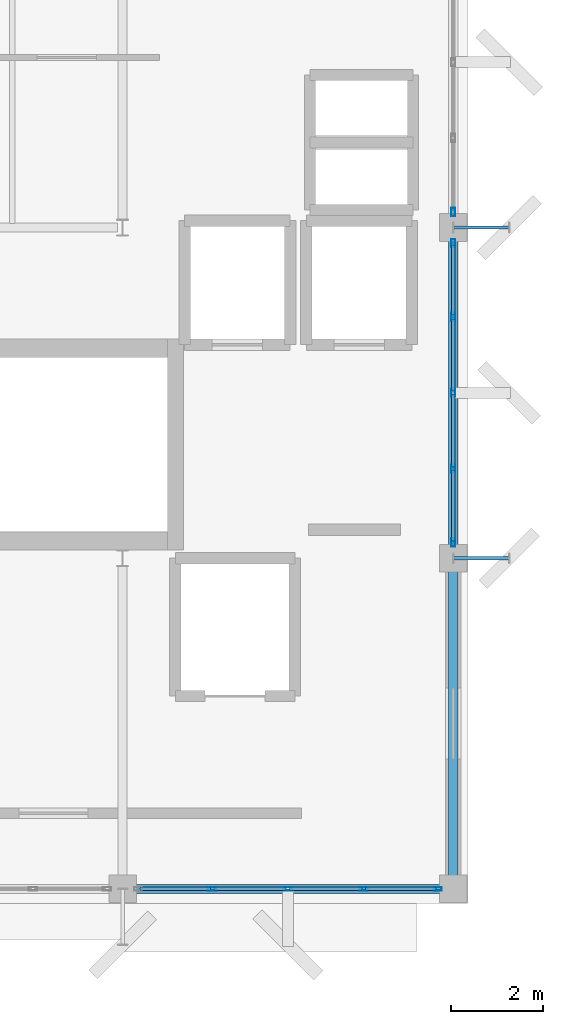
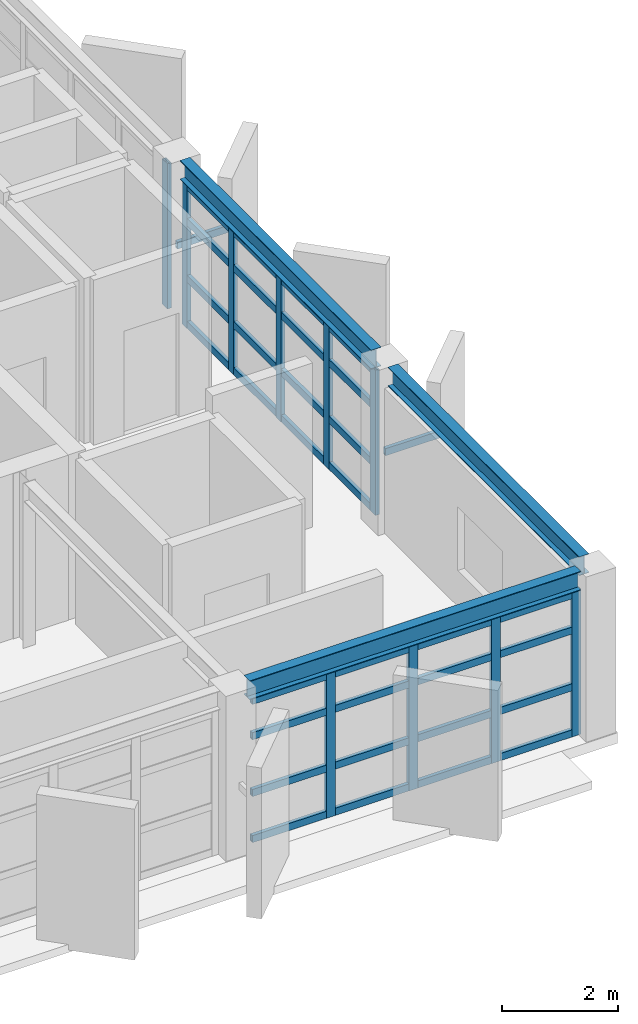
# One storey, part 4 of 13: 44 members, 3 beams, 3 elements without a shape of their own.
"""IFC4 building model written with IfcOpenShell, lengths in metres."""

from ifc_helpers import new_model, si_unit, direction, frame, origin, origin_2d, place, context, subcontext, project, spatial, hollow_rectangle, i_section, extrude, material, layer, layer_set, material_profile, profile_set, type_object, element, aggregate, save


model = new_model("IFC4")

# Units and contexts
model_context = context("Model", 3, precision=1e-05, world=origin(), true_north=direction((0.0, 1.0)))
body_context = subcontext(model_context, "Body", "Model", "MODEL_VIEW")
ifc_project = project(units=[si_unit("LENGTHUNIT", "METRE"), si_unit("AREAUNIT", "SQUARE_METRE"), si_unit("VOLUMEUNIT", "CUBIC_METRE"), si_unit("PLANEANGLEUNIT", "RADIAN"), si_unit("MASSUNIT", "GRAM", prefix="KILO")], contexts=[model_context])

# Site, building, storey
site_placement = place(None, origin())
site = spatial("IfcSite", under=ifc_project, at=site_placement, CompositionType="ELEMENT")
building_placement = place(site_placement, origin())
building = spatial("IfcBuilding", under=site, at=building_placement, Name="Kandorven Conservatory and Botanical Research Centre", CompositionType="ELEMENT")
storey_placement = place(building_placement, frame((0.0, 0.0, 63.14990234375)))
storey = spatial("IfcBuildingStorey", under=building, at=storey_placement, Name="L16", CompositionType="ELEMENT", Elevation=63.14990234375)

# Beams
ifc_material_1 = material(Name="Steel S355 (IS 2062 E350)", Category="steel")
ifc_material_profile_1 = material_profile(ifc_material_1, i_section(OverallWidth=0.199951171875, OverallDepth=0.39990234375, WebThickness=0.008544921875, FlangeThickness=0.012939453125, at=origin_2d()))
ifc_profile_set_1 = profile_set([ifc_material_profile_1], Name="Steel S355 (IS 2062 E350)")
beam_type = type_object("IfcBeamType", Name="Beam_FG-03", PredefinedType="USERDEFINED", material=ifc_profile_set_1)
beam_1_placement = place(storey_placement, frame((20.68994140625, 6.0, 3.2900390625), z_axis=(1.0, 0.0, 0.0), x_axis=(0.0, 1.0, 0.0)))
element("IfcBeam", 1, at=beam_1_placement, inside=storey, type_object=beam_type, Name="Primary girder FG-03 TWR L16", ObjectType="GIRDER", PredefinedType="USERDEFINED", context=body_context, shape_type="SweptSolid", body=[
    extrude(i_section(OverallWidth=0.199951171875, OverallDepth=0.39990234375, WebThickness=0.008544921875, FlangeThickness=0.012939453125, at=origin_2d()), origin(), (0.0, 0.0, 1.0), 6.6201171875),
])
beam_2_placement = place(storey_placement, frame((27.60009765625, 6.2900390625, 3.2900390625), z_axis=(0.0, 1.0, 0.0), x_axis=(-1.0, 0.0, 0.0)))
element("IfcBeam", 2, at=beam_2_placement, inside=storey, type_object=beam_type, Name="Primary girder FG-03 TWR L16", ObjectType="GIRDER", PredefinedType="USERDEFINED", context=body_context, shape_type="SweptSolid", body=[
    extrude(i_section(OverallWidth=0.199951171875, OverallDepth=0.39990234375, WebThickness=0.008544921875, FlangeThickness=0.012939453125, at=origin_2d()), origin(), (0.0, 0.0, 1.0), 6.619873046875),
])
beam_3_placement = place(storey_placement, frame((27.60009765625, 13.489990234375, 3.2900390625), z_axis=(0.0, 1.0, 0.0), x_axis=(-1.0, 0.0, 0.0)))
element("IfcBeam", 3, at=beam_3_placement, inside=storey, type_object=beam_type, Name="Primary girder FG-03 TWR L16", ObjectType="GIRDER", PredefinedType="USERDEFINED", context=body_context, shape_type="SweptSolid", body=[
    extrude(i_section(OverallWidth=0.199951171875, OverallDepth=0.39990234375, WebThickness=0.008544921875, FlangeThickness=0.012939453125, at=origin_2d()), origin(), (0.0, 0.0, 1.0), 6.6201171875),
])

# Curtain wall, members
ifc_material_2 = material(Name="Bronze anodised thermally broken aluminium", Category="aluminium")
ifc_layer = layer(ifc_material_2, 0.179931640625)
ifc_layer_set = layer_set([ifc_layer], Name="Bronze anodised thermally broken aluminium")
curtain_wall_type = type_object("IfcCurtainWallType", Name="CW_Unitised", PredefinedType="USERDEFINED", material=ifc_layer_set)
curtain_wall_1_placement = place(storey_placement, origin())
curtain_wall_1 = element("IfcCurtainWall", 4, at=curtain_wall_1_placement, inside=storey, type_object=curtain_wall_type, Name="Tower laboratory curtain wall CW-TWR-S-L16-3", ObjectType="UNITISED GLAZING", PredefinedType="USERDEFINED")
ifc_material_3 = material(Name="Bronze anodised thermally broken aluminium", Category="aluminium")
ifc_material_profile_2 = material_profile(ifc_material_3, hollow_rectangle(XDim=0.080078125, YDim=0.179931640625, WallThickness=0.006103515625, at=origin_2d()))
ifc_profile_set_2 = profile_set([ifc_material_profile_2], Name="Bronze anodised thermally broken aluminium")
member_type_1 = type_object("IfcMemberType", Name="CW_Mullion", PredefinedType="MULLION", material=ifc_profile_set_2)
member_1_placement = place(storey_placement, frame((22.35009765625, 6.0, 0.0), z_axis=(0.0, 0.0, 1.0), x_axis=(0.0, 1.0, 0.0)))
member_1 = element("IfcMember", 5, at=member_1_placement, type_object=member_type_1, Name="CW-01 mullion 2", PredefinedType="MULLION", context=body_context, shape_type="SweptSolid", body=[
    extrude(hollow_rectangle(XDim=0.080078125, YDim=0.179931640625, WallThickness=0.006103515625, at=origin_2d()), origin(), (0.0, 0.0, 1.0), 3.070068359375),
])
member_2_placement = place(storey_placement, frame((24.0, 6.0, 0.0), z_axis=(0.0, 0.0, 1.0), x_axis=(0.0, 1.0, 0.0)))
member_2 = element("IfcMember", 6, at=member_2_placement, type_object=member_type_1, Name="CW-01 mullion 3", PredefinedType="MULLION", context=body_context, shape_type="SweptSolid", body=[
    extrude(hollow_rectangle(XDim=0.080078125, YDim=0.179931640625, WallThickness=0.006103515625, at=origin_2d()), origin(), (0.0, 0.0, 1.0), 3.070068359375),
])
member_3_placement = place(storey_placement, frame((25.64990234375, 6.0, 0.0), z_axis=(0.0, 0.0, 1.0), x_axis=(0.0, 1.0, 0.0)))
member_3 = element("IfcMember", 7, at=member_3_placement, type_object=member_type_1, Name="CW-01 mullion 4", PredefinedType="MULLION", context=body_context, shape_type="SweptSolid", body=[
    extrude(hollow_rectangle(XDim=0.080078125, YDim=0.179931640625, WallThickness=0.006103515625, at=origin_2d()), origin(), (0.0, 0.0, 1.0), 3.070068359375),
])
member_4_placement = place(storey_placement, frame((27.260009765625, 6.0, 0.0), z_axis=(0.0, 0.0, 1.0), x_axis=(0.0, 1.0, 0.0)))
member_4 = element("IfcMember", 8, at=member_4_placement, type_object=member_type_1, Name="CW-01 mullion 5", PredefinedType="MULLION", context=body_context, shape_type="SweptSolid", body=[
    extrude(hollow_rectangle(XDim=0.080078125, YDim=0.179931640625, WallThickness=0.006103515625, at=origin_2d()), origin(), (0.0, 0.0, 1.0), 3.070068359375),
])

curtain_wall_2_placement = place(storey_placement, origin())
curtain_wall_2 = element("IfcCurtainWall", 9, at=curtain_wall_2_placement, inside=storey, type_object=curtain_wall_type, Name="Tower laboratory curtain wall CW-TWR-E-L16-2", ObjectType="UNITISED GLAZING", PredefinedType="USERDEFINED")
member_5_placement = place(storey_placement, frame((27.60009765625, 13.5400390625, 0.0), z_axis=(0.0, 0.0, 1.0), x_axis=(-1.0, 0.0, 0.0)))
member_5 = element("IfcMember", 10, at=member_5_placement, type_object=member_type_1, Name="CW-01 mullion 1", PredefinedType="MULLION", context=body_context, shape_type="SweptSolid", body=[
    extrude(hollow_rectangle(XDim=0.080078125, YDim=0.179931640625, WallThickness=0.006103515625, at=origin_2d()), origin(), (0.0, 0.0, 1.0), 3.070068359375),
])
member_6_placement = place(storey_placement, frame((27.60009765625, 15.14990234375, 0.0), z_axis=(0.0, 0.0, 1.0), x_axis=(-1.0, 0.0, 0.0)))
member_6 = element("IfcMember", 11, at=member_6_placement, type_object=member_type_1, Name="CW-01 mullion 2", PredefinedType="MULLION", context=body_context, shape_type="SweptSolid", body=[
    extrude(hollow_rectangle(XDim=0.080078125, YDim=0.179931640625, WallThickness=0.006103515625, at=origin_2d()), origin(), (0.0, 0.0, 1.0), 3.070068359375),
])
member_7_placement = place(storey_placement, frame((27.60009765625, 16.800048828125, 0.0), z_axis=(0.0, 0.0, 1.0), x_axis=(-1.0, 0.0, 0.0)))
member_7 = element("IfcMember", 12, at=member_7_placement, type_object=member_type_1, Name="CW-01 mullion 3", PredefinedType="MULLION", context=body_context, shape_type="SweptSolid", body=[
    extrude(hollow_rectangle(XDim=0.080078125, YDim=0.179931640625, WallThickness=0.006103515625, at=origin_2d()), origin(), (0.0, 0.0, 1.0), 3.070068359375),
])
member_8_placement = place(storey_placement, frame((27.60009765625, 18.449951171875, 0.0), z_axis=(0.0, 0.0, 1.0), x_axis=(-1.0, 0.0, 0.0)))
member_8 = element("IfcMember", 13, at=member_8_placement, type_object=member_type_1, Name="CW-01 mullion 4", PredefinedType="MULLION", context=body_context, shape_type="SweptSolid", body=[
    extrude(hollow_rectangle(XDim=0.080078125, YDim=0.179931640625, WallThickness=0.006103515625, at=origin_2d()), origin(), (0.0, 0.0, 1.0), 3.070068359375),
])
member_9_placement = place(storey_placement, frame((27.60009765625, 20.06005859375, 0.0), z_axis=(0.0, 0.0, 1.0), x_axis=(-1.0, 0.0, 0.0)))
member_9 = element("IfcMember", 14, at=member_9_placement, type_object=member_type_1, Name="CW-01 mullion 5", PredefinedType="MULLION", context=body_context, shape_type="SweptSolid", body=[
    extrude(hollow_rectangle(XDim=0.080078125, YDim=0.179931640625, WallThickness=0.006103515625, at=origin_2d()), origin(), (0.0, 0.0, 1.0), 3.070068359375),
])

# Curtain wall, member
curtain_wall_3_placement = place(storey_placement, origin())
curtain_wall_3 = element("IfcCurtainWall", 15, at=curtain_wall_3_placement, inside=storey, type_object=curtain_wall_type, Name="Tower laboratory curtain wall CW-TWR-E-L16-3", ObjectType="UNITISED GLAZING", PredefinedType="USERDEFINED")
member_10_placement = place(storey_placement, frame((27.60009765625, 20.739990234375, 0.0), z_axis=(0.0, 0.0, 1.0), x_axis=(-1.0, 0.0, 0.0)))
member_10 = element("IfcMember", 16, at=member_10_placement, type_object=member_type_1, Name="CW-01 mullion 1", PredefinedType="MULLION", context=body_context, shape_type="SweptSolid", body=[
    extrude(hollow_rectangle(XDim=0.080078125, YDim=0.179931640625, WallThickness=0.006103515625, at=origin_2d()), origin(), (0.0, 0.0, 1.0), 3.070068359375),
])
aggregate(curtain_wall_3, [member_10])

# Member
ifc_material_4 = material(Name="Bronze anodised thermally broken aluminium", Category="aluminium")
ifc_material_profile_3 = material_profile(ifc_material_4, hollow_rectangle(XDim=0.074951171875, YDim=0.14990234375, WallThickness=0.006103515625, at=origin_2d()))
ifc_profile_set_3 = profile_set([ifc_material_profile_3], Name="Bronze anodised thermally broken aluminium")
member_type_2 = type_object("IfcMemberType", Name="CW_Transom", PredefinedType="USERDEFINED", material=ifc_profile_set_3)
member_11_placement = place(storey_placement, frame((20.780029296875, 6.0, 0.0751953125), z_axis=(1.0, 0.0, 0.0), x_axis=(0.0, 1.0, 0.0)))
member_11 = element("IfcMember", 17, at=member_11_placement, type_object=member_type_2, Name="CW-01 transom 1.1", ObjectType="TRANSOM", PredefinedType="USERDEFINED", context=body_context, shape_type="SweptSolid", body=[
    extrude(hollow_rectangle(XDim=0.074951171875, YDim=0.14990234375, WallThickness=0.006103515625, at=origin_2d()), origin(), (0.0, 0.0, 1.0), 1.530029296875),
])

member_12_placement = place(storey_placement, frame((20.780029296875, 6.0, 1.050048828125), z_axis=(1.0, 0.0, 0.0), x_axis=(0.0, 1.0, 0.0)))
member_12 = element("IfcMember", 18, at=member_12_placement, type_object=member_type_2, Name="CW-01 transom 1.2", ObjectType="TRANSOM", PredefinedType="USERDEFINED", context=body_context, shape_type="SweptSolid", body=[
    extrude(hollow_rectangle(XDim=0.074951171875, YDim=0.14990234375, WallThickness=0.006103515625, at=origin_2d()), origin(), (0.0, 0.0, 1.0), 1.530029296875),
])

member_13_placement = place(storey_placement, frame((20.780029296875, 6.0, 2.25), z_axis=(1.0, 0.0, 0.0), x_axis=(0.0, 1.0, 0.0)))
member_13 = element("IfcMember", 19, at=member_13_placement, type_object=member_type_2, Name="CW-01 transom 1.3", ObjectType="TRANSOM", PredefinedType="USERDEFINED", context=body_context, shape_type="SweptSolid", body=[
    extrude(hollow_rectangle(XDim=0.074951171875, YDim=0.14990234375, WallThickness=0.006103515625, at=origin_2d()), origin(), (0.0, 0.0, 1.0), 1.530029296875),
])

member_14_placement = place(storey_placement, frame((20.780029296875, 6.0, 2.9951171875), z_axis=(1.0, 0.0, 0.0), x_axis=(0.0, 1.0, 0.0)))
member_14 = element("IfcMember", 20, at=member_14_placement, type_object=member_type_2, Name="CW-01 transom 1.4", ObjectType="TRANSOM", PredefinedType="USERDEFINED", context=body_context, shape_type="SweptSolid", body=[
    extrude(hollow_rectangle(XDim=0.074951171875, YDim=0.14990234375, WallThickness=0.006103515625, at=origin_2d()), origin(), (0.0, 0.0, 1.0), 1.530029296875),
])

member_15_placement = place(storey_placement, frame((22.389892578125, 6.0, 0.0751953125), z_axis=(1.0, 0.0, 0.0), x_axis=(0.0, 1.0, 0.0)))
member_15 = element("IfcMember", 21, at=member_15_placement, type_object=member_type_2, Name="CW-01 transom 2.1", ObjectType="TRANSOM", PredefinedType="USERDEFINED", context=body_context, shape_type="SweptSolid", body=[
    extrude(hollow_rectangle(XDim=0.074951171875, YDim=0.14990234375, WallThickness=0.006103515625, at=origin_2d()), origin(), (0.0, 0.0, 1.0), 1.570068359375),
])

member_16_placement = place(storey_placement, frame((22.389892578125, 6.0, 1.050048828125), z_axis=(1.0, 0.0, 0.0), x_axis=(0.0, 1.0, 0.0)))
member_16 = element("IfcMember", 22, at=member_16_placement, type_object=member_type_2, Name="CW-01 transom 2.2", ObjectType="TRANSOM", PredefinedType="USERDEFINED", context=body_context, shape_type="SweptSolid", body=[
    extrude(hollow_rectangle(XDim=0.074951171875, YDim=0.14990234375, WallThickness=0.006103515625, at=origin_2d()), origin(), (0.0, 0.0, 1.0), 1.570068359375),
])

member_17_placement = place(storey_placement, frame((22.389892578125, 6.0, 2.25), z_axis=(1.0, 0.0, 0.0), x_axis=(0.0, 1.0, 0.0)))
member_17 = element("IfcMember", 23, at=member_17_placement, type_object=member_type_2, Name="CW-01 transom 2.3", ObjectType="TRANSOM", PredefinedType="USERDEFINED", context=body_context, shape_type="SweptSolid", body=[
    extrude(hollow_rectangle(XDim=0.074951171875, YDim=0.14990234375, WallThickness=0.006103515625, at=origin_2d()), origin(), (0.0, 0.0, 1.0), 1.570068359375),
])

member_18_placement = place(storey_placement, frame((22.389892578125, 6.0, 2.9951171875), z_axis=(1.0, 0.0, 0.0), x_axis=(0.0, 1.0, 0.0)))
member_18 = element("IfcMember", 24, at=member_18_placement, type_object=member_type_2, Name="CW-01 transom 2.4", ObjectType="TRANSOM", PredefinedType="USERDEFINED", context=body_context, shape_type="SweptSolid", body=[
    extrude(hollow_rectangle(XDim=0.074951171875, YDim=0.14990234375, WallThickness=0.006103515625, at=origin_2d()), origin(), (0.0, 0.0, 1.0), 1.570068359375),
])

member_19_placement = place(storey_placement, frame((24.0400390625, 6.0, 0.0751953125), z_axis=(1.0, 0.0, 0.0), x_axis=(0.0, 1.0, 0.0)))
member_19 = element("IfcMember", 25, at=member_19_placement, type_object=member_type_2, Name="CW-01 transom 3.1", ObjectType="TRANSOM", PredefinedType="USERDEFINED", context=body_context, shape_type="SweptSolid", body=[
    extrude(hollow_rectangle(XDim=0.074951171875, YDim=0.14990234375, WallThickness=0.006103515625, at=origin_2d()), origin(), (0.0, 0.0, 1.0), 1.570068359375),
])

member_20_placement = place(storey_placement, frame((24.0400390625, 6.0, 1.050048828125), z_axis=(1.0, 0.0, 0.0), x_axis=(0.0, 1.0, 0.0)))
member_20 = element("IfcMember", 26, at=member_20_placement, type_object=member_type_2, Name="CW-01 transom 3.2", ObjectType="TRANSOM", PredefinedType="USERDEFINED", context=body_context, shape_type="SweptSolid", body=[
    extrude(hollow_rectangle(XDim=0.074951171875, YDim=0.14990234375, WallThickness=0.006103515625, at=origin_2d()), origin(), (0.0, 0.0, 1.0), 1.570068359375),
])

member_21_placement = place(storey_placement, frame((24.0400390625, 6.0, 2.25), z_axis=(1.0, 0.0, 0.0), x_axis=(0.0, 1.0, 0.0)))
member_21 = element("IfcMember", 27, at=member_21_placement, type_object=member_type_2, Name="CW-01 transom 3.3", ObjectType="TRANSOM", PredefinedType="USERDEFINED", context=body_context, shape_type="SweptSolid", body=[
    extrude(hollow_rectangle(XDim=0.074951171875, YDim=0.14990234375, WallThickness=0.006103515625, at=origin_2d()), origin(), (0.0, 0.0, 1.0), 1.570068359375),
])

member_22_placement = place(storey_placement, frame((24.0400390625, 6.0, 2.9951171875), z_axis=(1.0, 0.0, 0.0), x_axis=(0.0, 1.0, 0.0)))
member_22 = element("IfcMember", 28, at=member_22_placement, type_object=member_type_2, Name="CW-01 transom 3.4", ObjectType="TRANSOM", PredefinedType="USERDEFINED", context=body_context, shape_type="SweptSolid", body=[
    extrude(hollow_rectangle(XDim=0.074951171875, YDim=0.14990234375, WallThickness=0.006103515625, at=origin_2d()), origin(), (0.0, 0.0, 1.0), 1.570068359375),
])

member_23_placement = place(storey_placement, frame((25.68994140625, 6.0, 0.0751953125), z_axis=(1.0, 0.0, 0.0), x_axis=(0.0, 1.0, 0.0)))
member_23 = element("IfcMember", 29, at=member_23_placement, type_object=member_type_2, Name="CW-01 transom 4.1", ObjectType="TRANSOM", PredefinedType="USERDEFINED", context=body_context, shape_type="SweptSolid", body=[
    extrude(hollow_rectangle(XDim=0.074951171875, YDim=0.14990234375, WallThickness=0.006103515625, at=origin_2d()), origin(), (0.0, 0.0, 1.0), 1.530029296875),
])

member_24_placement = place(storey_placement, frame((25.68994140625, 6.0, 1.050048828125), z_axis=(1.0, 0.0, 0.0), x_axis=(0.0, 1.0, 0.0)))
member_24 = element("IfcMember", 30, at=member_24_placement, type_object=member_type_2, Name="CW-01 transom 4.2", ObjectType="TRANSOM", PredefinedType="USERDEFINED", context=body_context, shape_type="SweptSolid", body=[
    extrude(hollow_rectangle(XDim=0.074951171875, YDim=0.14990234375, WallThickness=0.006103515625, at=origin_2d()), origin(), (0.0, 0.0, 1.0), 1.530029296875),
])

member_25_placement = place(storey_placement, frame((25.68994140625, 6.0, 2.25), z_axis=(1.0, 0.0, 0.0), x_axis=(0.0, 1.0, 0.0)))
member_25 = element("IfcMember", 31, at=member_25_placement, type_object=member_type_2, Name="CW-01 transom 4.3", ObjectType="TRANSOM", PredefinedType="USERDEFINED", context=body_context, shape_type="SweptSolid", body=[
    extrude(hollow_rectangle(XDim=0.074951171875, YDim=0.14990234375, WallThickness=0.006103515625, at=origin_2d()), origin(), (0.0, 0.0, 1.0), 1.530029296875),
])

member_26_placement = place(storey_placement, frame((25.68994140625, 6.0, 2.9951171875), z_axis=(1.0, 0.0, 0.0), x_axis=(0.0, 1.0, 0.0)))
member_26 = element("IfcMember", 32, at=member_26_placement, type_object=member_type_2, Name="CW-01 transom 4.4", ObjectType="TRANSOM", PredefinedType="USERDEFINED", context=body_context, shape_type="SweptSolid", body=[
    extrude(hollow_rectangle(XDim=0.074951171875, YDim=0.14990234375, WallThickness=0.006103515625, at=origin_2d()), origin(), (0.0, 0.0, 1.0), 1.530029296875),
])

aggregate(curtain_wall_1, [member_1, member_2, member_3, member_4, member_11, member_12, member_13, member_14, member_15, member_16, member_17, member_18, member_19, member_20, member_21, member_22, member_23, member_24, member_25, member_26])

member_27_placement = place(storey_placement, frame((27.60009765625, 13.580078125, 0.0751953125), z_axis=(0.0, 1.0, 0.0), x_axis=(-1.0, 0.0, 0.0)))
member_27 = element("IfcMember", 33, at=member_27_placement, type_object=member_type_2, Name="CW-01 transom 1.1", ObjectType="TRANSOM", PredefinedType="USERDEFINED", context=body_context, shape_type="SweptSolid", body=[
    extrude(hollow_rectangle(XDim=0.074951171875, YDim=0.14990234375, WallThickness=0.006103515625, at=origin_2d()), origin(), (0.0, 0.0, 1.0), 1.530029296875),
])

member_28_placement = place(storey_placement, frame((27.60009765625, 13.580078125, 1.050048828125), z_axis=(0.0, 1.0, 0.0), x_axis=(-1.0, 0.0, 0.0)))
member_28 = element("IfcMember", 34, at=member_28_placement, type_object=member_type_2, Name="CW-01 transom 1.2", ObjectType="TRANSOM", PredefinedType="USERDEFINED", context=body_context, shape_type="SweptSolid", body=[
    extrude(hollow_rectangle(XDim=0.074951171875, YDim=0.14990234375, WallThickness=0.006103515625, at=origin_2d()), origin(), (0.0, 0.0, 1.0), 1.530029296875),
])

member_29_placement = place(storey_placement, frame((27.60009765625, 13.580078125, 2.25), z_axis=(0.0, 1.0, 0.0), x_axis=(-1.0, 0.0, 0.0)))
member_29 = element("IfcMember", 35, at=member_29_placement, type_object=member_type_2, Name="CW-01 transom 1.3", ObjectType="TRANSOM", PredefinedType="USERDEFINED", context=body_context, shape_type="SweptSolid", body=[
    extrude(hollow_rectangle(XDim=0.074951171875, YDim=0.14990234375, WallThickness=0.006103515625, at=origin_2d()), origin(), (0.0, 0.0, 1.0), 1.530029296875),
])

member_30_placement = place(storey_placement, frame((27.60009765625, 13.580078125, 2.9951171875), z_axis=(0.0, 1.0, 0.0), x_axis=(-1.0, 0.0, 0.0)))
member_30 = element("IfcMember", 36, at=member_30_placement, type_object=member_type_2, Name="CW-01 transom 1.4", ObjectType="TRANSOM", PredefinedType="USERDEFINED", context=body_context, shape_type="SweptSolid", body=[
    extrude(hollow_rectangle(XDim=0.074951171875, YDim=0.14990234375, WallThickness=0.006103515625, at=origin_2d()), origin(), (0.0, 0.0, 1.0), 1.530029296875),
])

member_31_placement = place(storey_placement, frame((27.60009765625, 15.18994140625, 0.0751953125), z_axis=(0.0, 1.0, 0.0), x_axis=(-1.0, 0.0, 0.0)))
member_31 = element("IfcMember", 37, at=member_31_placement, type_object=member_type_2, Name="CW-01 transom 2.1", ObjectType="TRANSOM", PredefinedType="USERDEFINED", context=body_context, shape_type="SweptSolid", body=[
    extrude(hollow_rectangle(XDim=0.074951171875, YDim=0.14990234375, WallThickness=0.006103515625, at=origin_2d()), origin(), (0.0, 0.0, 1.0), 1.570068359375),
])

member_32_placement = place(storey_placement, frame((27.60009765625, 15.18994140625, 1.050048828125), z_axis=(0.0, 1.0, 0.0), x_axis=(-1.0, 0.0, 0.0)))
member_32 = element("IfcMember", 38, at=member_32_placement, type_object=member_type_2, Name="CW-01 transom 2.2", ObjectType="TRANSOM", PredefinedType="USERDEFINED", context=body_context, shape_type="SweptSolid", body=[
    extrude(hollow_rectangle(XDim=0.074951171875, YDim=0.14990234375, WallThickness=0.006103515625, at=origin_2d()), origin(), (0.0, 0.0, 1.0), 1.570068359375),
])

member_33_placement = place(storey_placement, frame((27.60009765625, 15.18994140625, 2.25), z_axis=(0.0, 1.0, 0.0), x_axis=(-1.0, 0.0, 0.0)))
member_33 = element("IfcMember", 39, at=member_33_placement, type_object=member_type_2, Name="CW-01 transom 2.3", ObjectType="TRANSOM", PredefinedType="USERDEFINED", context=body_context, shape_type="SweptSolid", body=[
    extrude(hollow_rectangle(XDim=0.074951171875, YDim=0.14990234375, WallThickness=0.006103515625, at=origin_2d()), origin(), (0.0, 0.0, 1.0), 1.570068359375),
])

member_34_placement = place(storey_placement, frame((27.60009765625, 15.18994140625, 2.9951171875), z_axis=(0.0, 1.0, 0.0), x_axis=(-1.0, 0.0, 0.0)))
member_34 = element("IfcMember", 40, at=member_34_placement, type_object=member_type_2, Name="CW-01 transom 2.4", ObjectType="TRANSOM", PredefinedType="USERDEFINED", context=body_context, shape_type="SweptSolid", body=[
    extrude(hollow_rectangle(XDim=0.074951171875, YDim=0.14990234375, WallThickness=0.006103515625, at=origin_2d()), origin(), (0.0, 0.0, 1.0), 1.570068359375),
])

member_35_placement = place(storey_placement, frame((27.60009765625, 16.840087890625, 0.0751953125), z_axis=(0.0, 1.0, 0.0), x_axis=(-1.0, 0.0, 0.0)))
member_35 = element("IfcMember", 41, at=member_35_placement, type_object=member_type_2, Name="CW-01 transom 3.1", ObjectType="TRANSOM", PredefinedType="USERDEFINED", context=body_context, shape_type="SweptSolid", body=[
    extrude(hollow_rectangle(XDim=0.074951171875, YDim=0.14990234375, WallThickness=0.006103515625, at=origin_2d()), origin(), (0.0, 0.0, 1.0), 1.56982421875),
])

member_36_placement = place(storey_placement, frame((27.60009765625, 16.840087890625, 1.050048828125), z_axis=(0.0, 1.0, 0.0), x_axis=(-1.0, 0.0, 0.0)))
member_36 = element("IfcMember", 42, at=member_36_placement, type_object=member_type_2, Name="CW-01 transom 3.2", ObjectType="TRANSOM", PredefinedType="USERDEFINED", context=body_context, shape_type="SweptSolid", body=[
    extrude(hollow_rectangle(XDim=0.074951171875, YDim=0.14990234375, WallThickness=0.006103515625, at=origin_2d()), origin(), (0.0, 0.0, 1.0), 1.56982421875),
])

member_37_placement = place(storey_placement, frame((27.60009765625, 16.840087890625, 2.25), z_axis=(0.0, 1.0, 0.0), x_axis=(-1.0, 0.0, 0.0)))
member_37 = element("IfcMember", 43, at=member_37_placement, type_object=member_type_2, Name="CW-01 transom 3.3", ObjectType="TRANSOM", PredefinedType="USERDEFINED", context=body_context, shape_type="SweptSolid", body=[
    extrude(hollow_rectangle(XDim=0.074951171875, YDim=0.14990234375, WallThickness=0.006103515625, at=origin_2d()), origin(), (0.0, 0.0, 1.0), 1.56982421875),
])

member_38_placement = place(storey_placement, frame((27.60009765625, 16.840087890625, 2.9951171875), z_axis=(0.0, 1.0, 0.0), x_axis=(-1.0, 0.0, 0.0)))
member_38 = element("IfcMember", 44, at=member_38_placement, type_object=member_type_2, Name="CW-01 transom 3.4", ObjectType="TRANSOM", PredefinedType="USERDEFINED", context=body_context, shape_type="SweptSolid", body=[
    extrude(hollow_rectangle(XDim=0.074951171875, YDim=0.14990234375, WallThickness=0.006103515625, at=origin_2d()), origin(), (0.0, 0.0, 1.0), 1.56982421875),
])

member_39_placement = place(storey_placement, frame((27.60009765625, 18.489990234375, 0.0751953125), z_axis=(0.0, 1.0, 0.0), x_axis=(-1.0, 0.0, 0.0)))
member_39 = element("IfcMember", 45, at=member_39_placement, type_object=member_type_2, Name="CW-01 transom 4.1", ObjectType="TRANSOM", PredefinedType="USERDEFINED", context=body_context, shape_type="SweptSolid", body=[
    extrude(hollow_rectangle(XDim=0.074951171875, YDim=0.14990234375, WallThickness=0.006103515625, at=origin_2d()), origin(), (0.0, 0.0, 1.0), 1.530029296875),
])

member_40_placement = place(storey_placement, frame((27.60009765625, 18.489990234375, 1.050048828125), z_axis=(0.0, 1.0, 0.0), x_axis=(-1.0, 0.0, 0.0)))
member_40 = element("IfcMember", 46, at=member_40_placement, type_object=member_type_2, Name="CW-01 transom 4.2", ObjectType="TRANSOM", PredefinedType="USERDEFINED", context=body_context, shape_type="SweptSolid", body=[
    extrude(hollow_rectangle(XDim=0.074951171875, YDim=0.14990234375, WallThickness=0.006103515625, at=origin_2d()), origin(), (0.0, 0.0, 1.0), 1.530029296875),
])

member_41_placement = place(storey_placement, frame((27.60009765625, 18.489990234375, 2.25), z_axis=(0.0, 1.0, 0.0), x_axis=(-1.0, 0.0, 0.0)))
member_41 = element("IfcMember", 47, at=member_41_placement, type_object=member_type_2, Name="CW-01 transom 4.3", ObjectType="TRANSOM", PredefinedType="USERDEFINED", context=body_context, shape_type="SweptSolid", body=[
    extrude(hollow_rectangle(XDim=0.074951171875, YDim=0.14990234375, WallThickness=0.006103515625, at=origin_2d()), origin(), (0.0, 0.0, 1.0), 1.530029296875),
])

member_42_placement = place(storey_placement, frame((27.60009765625, 18.489990234375, 2.9951171875), z_axis=(0.0, 1.0, 0.0), x_axis=(-1.0, 0.0, 0.0)))
member_42 = element("IfcMember", 48, at=member_42_placement, type_object=member_type_2, Name="CW-01 transom 4.4", ObjectType="TRANSOM", PredefinedType="USERDEFINED", context=body_context, shape_type="SweptSolid", body=[
    extrude(hollow_rectangle(XDim=0.074951171875, YDim=0.14990234375, WallThickness=0.006103515625, at=origin_2d()), origin(), (0.0, 0.0, 1.0), 1.530029296875),
])

aggregate(curtain_wall_2, [member_5, member_6, member_7, member_8, member_9, member_27, member_28, member_29, member_30, member_31, member_32, member_33, member_34, member_35, member_36, member_37, member_38, member_39, member_40, member_41, member_42])

# Members
ifc_material_5 = material(Name="Steel S355 (IS 2062 E350)", Category="steel")
ifc_material_profile_4 = material_profile(ifc_material_5, hollow_rectangle(XDim=0.074951171875, YDim=0.14990234375, WallThickness=0.006103515625, at=origin_2d()))
ifc_profile_set_4 = profile_set([ifc_material_profile_4], Name="Steel S355 (IS 2062 E350)")
member_type_3 = type_object("IfcMemberType", Name="Mem_SF-01", PredefinedType="STRUT", material=ifc_profile_set_4)
for number, where, z_axis, x_axis, name in (
    (49, (27.60009765625, 13.199951171875, 1.5), (1.0, 0.0, 0.0), (0.0, 1.0, 0.0), "Solar fin steel outrigger strut SF-01 #153"),
    (50, (27.60009765625, 20.39990234375, 1.5), (1.0, 0.0, 0.0), (0.0, 1.0, 0.0), "Solar fin steel outrigger strut SF-01 #155"),
):
    element("IfcMember", number, at=place(storey_placement, frame(where, z_axis=z_axis, x_axis=x_axis)), inside=storey, type_object=member_type_3, Name=name, PredefinedType="STRUT", context=body_context, shape_type="SweptSolid", body=[
        extrude(hollow_rectangle(XDim=0.074951171875, YDim=0.14990234375, WallThickness=0.006103515625, at=origin_2d()), origin(), (0.0, 0.0, 1.0), 1.219970703125),
    ])

save(model, "model.ifc")
